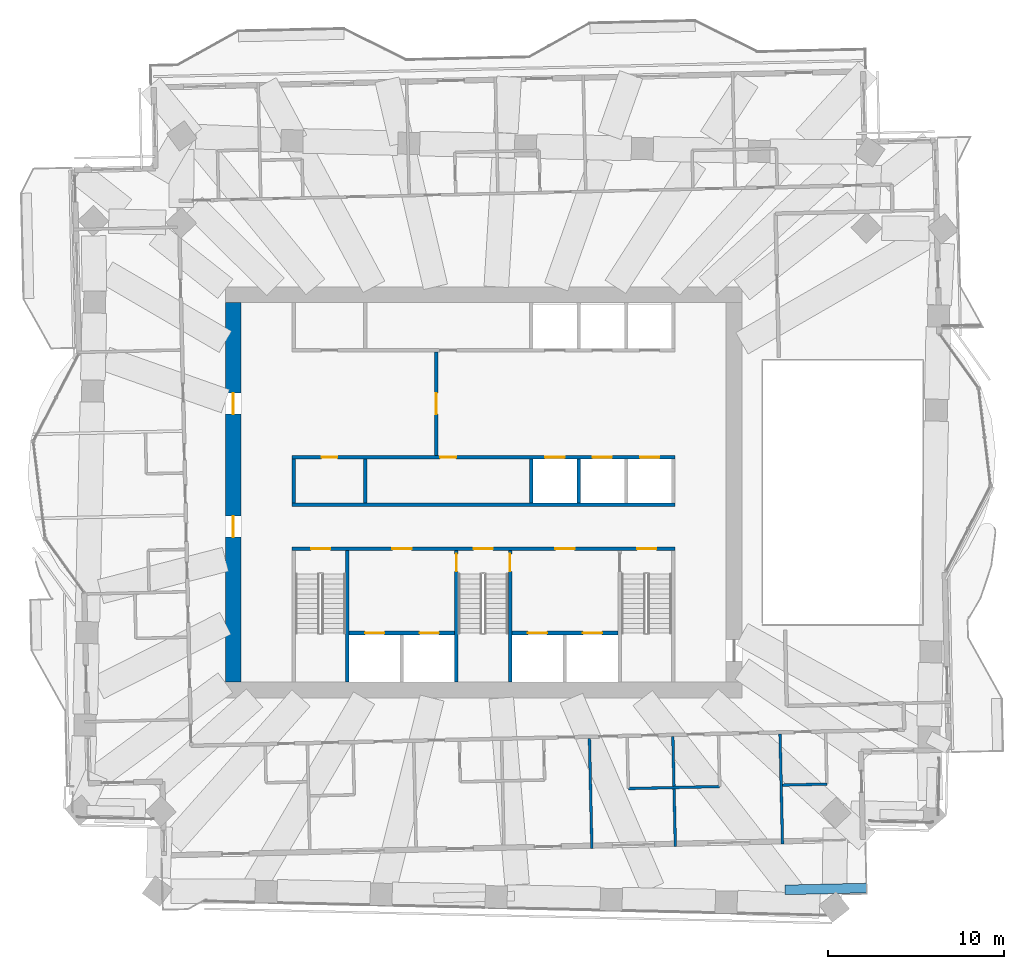
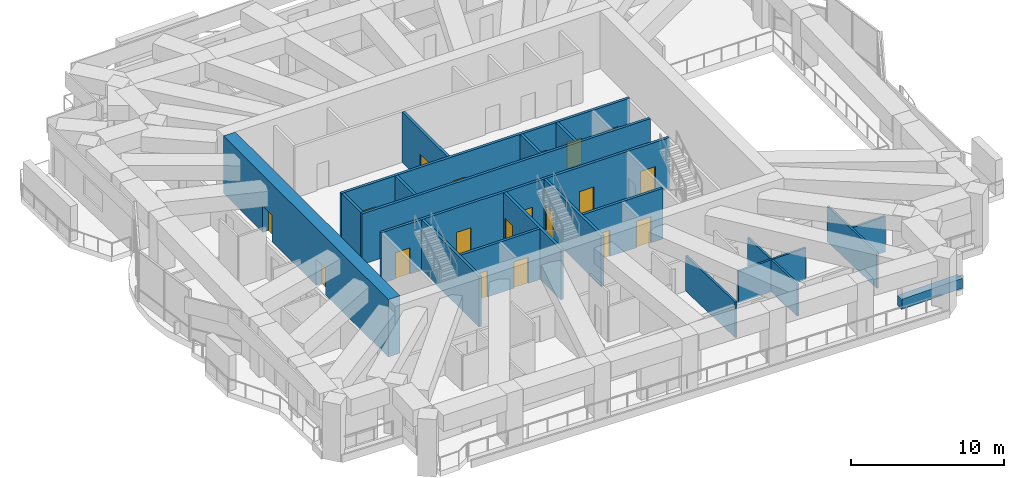
# One storey, part 10 of 17: 20 walls, 19 doors, 19 openings.
"""IFC4 building model written with IfcOpenShell, lengths in metres."""

import ifcopenshell
import ifcopenshell.guid

model = None  # the IFC model being written
_history = None  # IfcOwnerHistory: only IFC2X3 demands one
_inside = {}  # id of a spatial element -> (the spatial element, [elements in it])
_under = {}  # id of a project, library or spatial element -> (it, [spatial elements below it])
_declared = {}  # id of a project -> (the project, [libraries it declares])
_typed = {}  # id of a type object -> (the type object, [elements of that type])
_made_of = {}  # id of a material, layer set ... -> (it, [elements and type objects made of it])


def new_model(schema):
    """Start an empty IFC model of exactly this schema.

    Asked for "IFC4X3", IfcOpenShell would pick the latest addendum, in which some entities
    have other attributes; the version numbers below select the first issue.
    IFC2X3 requires an IfcOwnerHistory on every rooted entity: one is made here for all.
    """
    global model, _history
    if schema == "IFC4X3":
        model = ifcopenshell.file(schema_version=(4, 3, 0, 0))
    else:
        model = ifcopenshell.file(schema=schema)
    _inside.clear()
    _under.clear()
    _declared.clear()
    _typed.clear()
    _made_of.clear()
    _history = None
    if model.schema == "IFC2X3":
        org = make("IfcOrganization", Name="unknown")
        user = make(
            "IfcPersonAndOrganization",
            ThePerson=make("IfcPerson", FamilyName="unknown"),
            TheOrganization=org,
        )
        app = make(
            "IfcApplication",
            ApplicationDeveloper=org,
            Version="unknown",
            ApplicationFullName="unknown",
            ApplicationIdentifier="unknown",
        )
        _history = make(
            "IfcOwnerHistory",
            OwningUser=user,
            OwningApplication=app,
            ChangeAction="ADDED",
            CreationDate=0,
        )
    return model


def make(cls, **values):
    """One entity of the class cls with the attributes given. An attribute that is None is left unset."""
    return model.create_entity(
        cls, **{name: value for name, value in values.items() if value is not None}
    )


def rooted(cls, **values):
    """An entity with a GlobalId (a new one), such as an element, a storey or a relation."""
    return make(cls, GlobalId=ifcopenshell.guid.new(), OwnerHistory=_history, **values)


def si_unit(unit_type, name, prefix=None):
    """IfcSIUnit, for example si_unit("LENGTHUNIT", "METRE", prefix="MILLI")."""
    return make("IfcSIUnit", UnitType=unit_type, Prefix=prefix, Name=name)


def assignment(units):
    """IfcUnitAssignment: the units of a project."""
    return None if units is None else make("IfcUnitAssignment", Units=units)


def point(xyz):
    """IfcCartesianPoint."""
    return None if xyz is None else make("IfcCartesianPoint", Coordinates=xyz)


def direction(xyz):
    """IfcDirection."""
    return None if xyz is None else make("IfcDirection", DirectionRatios=xyz)


def frame(location, z_axis=None, x_axis=None):
    """IfcAxis2Placement3D, a coordinate frame: its origin and axes. An axis left out is left unset."""
    return make(
        "IfcAxis2Placement3D",
        Location=point(location),
        Axis=direction(z_axis),
        RefDirection=direction(x_axis),
    )


def frame_2d(location, x_axis=None):
    """IfcAxis2Placement2D, a coordinate frame in the plane: its origin and x axis."""
    return make(
        "IfcAxis2Placement2D", Location=point(location), RefDirection=direction(x_axis)
    )


def origin():
    """The frame at (0, 0, 0) with its axes left unset."""
    return frame((0.0, 0.0, 0.0))


def place(relative_to, where):
    """IfcLocalPlacement: puts the frame where relative to a parent placement (None: the world)."""
    return make(
        "IfcLocalPlacement", PlacementRelTo=relative_to, RelativePlacement=where
    )


def context(
    kind, dimensions, precision=None, world=None, true_north=None, identifier=None
):
    """IfcGeometricRepresentationContext, for example the 3D "Model" context."""
    return make(
        "IfcGeometricRepresentationContext",
        ContextIdentifier=identifier,
        ContextType=kind,
        CoordinateSpaceDimension=dimensions,
        Precision=precision,
        WorldCoordinateSystem=world,
        TrueNorth=true_north,
    )


def subcontext(parent, identifier, kind, view, scale=None):
    """IfcGeometricRepresentationSubContext, for example "Body" below "Model"."""
    return make(
        "IfcGeometricRepresentationSubContext",
        ContextIdentifier=identifier,
        ContextType=kind,
        ParentContext=parent,
        TargetScale=scale,
        TargetView=view,
    )


def project(units=None, contexts=None):
    """IfcProject with its units and contexts."""
    return rooted(
        "IfcProject",
        Name="project",
        RepresentationContexts=contexts,
        UnitsInContext=assignment(units),
    )


def spatial(cls, under=None, at=None, **own):
    """A site, building, storey or space (cls), placed at a placement, below another one or the project."""
    s = rooted(cls, ObjectPlacement=at, **own)
    if under is not None:
        _under.setdefault(under.id(), (under, []))[1].append(s)
    return s


def profile(cls, at=None, kind="AREA", **sizes):
    """A parametric profile (cls). Its sizes go by their IFC names, for example OverallWidth=200.0."""
    return make(cls, ProfileType=kind, Position=at, **sizes)


def rectangle(**sizes):
    """IfcRectangleProfileDef."""
    return profile("IfcRectangleProfileDef", **sizes)


def extrude(swept, where, along, depth):
    """IfcExtrudedAreaSolid: the profile swept, set in the frame where, extruded along a direction by depth."""
    return make(
        "IfcExtrudedAreaSolid",
        SweptArea=swept,
        Position=where,
        ExtrudedDirection=direction(along),
        Depth=depth,
    )


def shape(context_of_items, identifier, shape_type, items):
    """IfcShapeRepresentation: the items that make up one representation, for example the "Body"."""
    return make(
        "IfcShapeRepresentation",
        ContextOfItems=context_of_items,
        RepresentationIdentifier=identifier,
        RepresentationType=shape_type,
        Items=items,
    )


def material(Name=None, Category=None):
    """IfcMaterial."""
    return make("IfcMaterial", Name=Name, Category=Category)


def layer(
    of_material, thickness, ventilated=None, Name=None, Category=None, Priority=None
):
    """IfcMaterialLayer: one layer of a wall or slab, of a material (None: an air gap)."""
    return make(
        "IfcMaterialLayer",
        Material=of_material,
        LayerThickness=thickness,
        IsVentilated=ventilated,
        Name=Name,
        Category=Category,
        Priority=Priority,
    )


def layer_set(layers, Name=None):
    """IfcMaterialLayerSet."""
    return make("IfcMaterialLayerSet", MaterialLayers=layers, LayerSetName=Name)


def made_of(thing, what):
    """Note that an element or type object is made of a material, layer set ...; save() writes the relation."""
    if what is not None:
        _made_of.setdefault(what.id(), (what, []))[1].append(thing)
    return thing


def type_object(cls, material=None, **own):
    """A type object (cls), such as IfcWallType, which elements share."""
    return made_of(rooted(cls, **own), material)


def element(
    cls,
    number,
    at=None,
    inside=None,
    cuts=None,
    type_object=None,
    material=None,
    context=None,
    identifier="Body",
    shape_type=None,
    held_by="IfcProductDefinitionShape",
    body=None,
    shapes=None,
    **own,
):
    """One element of the class cls, such as IfcWall. Its Tag is "e" and its number.

    at: its placement. inside: the storey or other place that contains it. cuts: it is an
    opening in that element (IfcRelVoidsElement). A single representation is given by context,
    identifier, shape_type and body (its items); several are given by shapes. held_by: the class
    of the entity that holds the representations. save() writes the other relations.
    """
    e = rooted(cls, Tag="e%d" % number, ObjectPlacement=at, **own)
    if body is not None:
        shapes = [shape(context, identifier, shape_type, body)]
    if shapes is not None:
        e.Representation = make(held_by, Representations=shapes)
    if inside is not None:
        _inside.setdefault(inside.id(), (inside, []))[1].append(e)
    if cuts is not None:
        rooted(
            "IfcRelVoidsElement", RelatingBuildingElement=cuts, RelatedOpeningElement=e
        )
    if type_object is not None:
        _typed.setdefault(type_object.id(), (type_object, []))[1].append(e)
    return made_of(e, material)


def fill(opening, filler):
    """IfcRelFillsElement: the door or window that sits in an opening."""
    return rooted(
        "IfcRelFillsElement",
        RelatingOpeningElement=opening,
        RelatedBuildingElement=filler,
    )


def aggregate(whole, parts):
    """IfcRelAggregates: a whole, such as a stair, and the parts it consists of."""
    return rooted("IfcRelAggregates", RelatingObject=whole, RelatedObjects=parts)


def save(model, path):
    """Write the relations noted so far, then the file.

    IfcRelAggregates (storeys below a building ...), IfcRelContainedInSpatialStructure (elements
    in a storey), IfcRelDefinesByType, IfcRelAssociatesMaterial and IfcRelDeclares: one each for
    every whole, place, type object, material and project.
    """
    for whole, parts in _under.values():
        aggregate(whole, parts)
    for where, things in _inside.values():
        rooted(
            "IfcRelContainedInSpatialStructure",
            RelatedElements=things,
            RelatingStructure=where,
        )
    for kind, things in _typed.values():
        rooted("IfcRelDefinesByType", RelatedObjects=things, RelatingType=kind)
    for what, things in _made_of.values():
        rooted("IfcRelAssociatesMaterial", RelatedObjects=things, RelatingMaterial=what)
    for by, libraries in _declared.values():
        rooted("IfcRelDeclares", RelatingContext=by, RelatedDefinitions=libraries)
    model.write(path)


model = new_model("IFC4")

# Units and contexts
model_context = context("Model", 3, precision=1e-05, world=origin(), true_north=direction((0.0, 1.0)))
body_context = subcontext(model_context, "Body", "Model", "MODEL_VIEW")
ifc_project = project(units=[si_unit("LENGTHUNIT", "METRE"), si_unit("AREAUNIT", "SQUARE_METRE"), si_unit("VOLUMEUNIT", "CUBIC_METRE"), si_unit("PLANEANGLEUNIT", "RADIAN"), si_unit("MASSUNIT", "GRAM", prefix="KILO")], contexts=[model_context])

# Site, building, storey
site_placement = place(None, origin())
site = spatial("IfcSite", under=ifc_project, at=site_placement, CompositionType="ELEMENT")
building_placement = place(site_placement, origin())
building = spatial("IfcBuilding", under=site, at=building_placement, Name="Mangrove Gate Tower", CompositionType="ELEMENT")
storey_placement = place(building_placement, frame((0.0, 0.0, 170.699951171875)))
storey = spatial("IfcBuildingStorey", under=building, at=storey_placement, Name="L43", CompositionType="ELEMENT", Elevation=170.699951171875)

# Wall, opening, door
ifc_material_1 = material(Name="Concrete C32/40", Category="concrete")
ifc_layer_1 = layer(ifc_material_1, 0.199951171875)
ifc_layer_set_1 = layer_set([ifc_layer_1], Name="Core lobby wall 200 C32/40")
wall_type_1 = type_object("IfcWallType", Name="Core lobby wall 200 C32/40", PredefinedType="STANDARD", material=ifc_layer_set_1)
wall_1_placement = place(storey_placement, frame((-2.699951171875, 2.10009765625, 0.0), z_axis=(0.0, 0.0, 1.0), x_axis=(0.0, 1.0, 0.0)))
wall_1 = element("IfcWall", 1, at=wall_1_placement, inside=storey, type_object=wall_type_1, Name="WALL-L43-CORE-31", PredefinedType="STANDARD", context=body_context, shape_type="SweptSolid", body=[
    extrude(rectangle(XDim=5.89990234375, YDim=0.199951171875, at=frame_2d((2.949951171875, 0.0))), origin(), (0.0, 0.0, 1.0), 4.050048828125),
])
opening_1_placement = place(wall_1_placement, frame((2.35009765625, 0.0, 0.0)))
opening_1 = element("IfcOpeningElement", 2, at=opening_1_placement, cuts=wall_1, Name="Opening FL12", PredefinedType="OPENING", context=body_context, shape_type="SweptSolid", body=[
    extrude(rectangle(XDim=1.199951171875, YDim=2.10009765625, at=frame_2d((0.60009765625, 1.050048828125))), frame((0.0, 0.10986328125, 0.0), z_axis=(0.0, -1.0, 0.0), x_axis=(1.0, 0.0, 0.0)), (0.0, 0.0, 1.0), 0.219970703125),
])
ifc_material_2 = material(Name="Fire-rated steel door set", Category="steel")
door_type_1 = type_object("IfcDoorType", Name="Lobby door FD60 1200x2100", OperationType="SINGLE_SWING_LEFT", PredefinedType="DOOR", material=ifc_material_2)
door_1_placement = place(opening_1_placement, origin())
door_1 = element("IfcDoor", 3, at=door_1_placement, inside=storey, type_object=door_type_1, Name="Lobby door lift lobby partition", OperationType="SINGLE_SWING_LEFT", OverallHeight=2.10009765625, OverallWidth=1.199951171875, PredefinedType="DOOR", context=body_context, shape_type="SweptSolid", body=[
    extrude(rectangle(XDim=1.199951171875, YDim=2.10009765625, at=frame_2d((0.60009765625, 1.050048828125))), frame((0.0, 0.02490234375, 0.0), z_axis=(0.0, -1.0, 0.0), x_axis=(1.0, 0.0, 0.0)), (0.0, 0.0, 1.0), 0.050048828125),
])
fill(opening_1, door_1)

# Walls
ifc_material_3 = material(Name="Concrete C32/40", Category="concrete")
ifc_layer_2 = layer(ifc_material_3, 0.199951171875)
ifc_layer_set_2 = layer_set([ifc_layer_2], Name="Core room wall 200 C32/40")
wall_type_2 = type_object("IfcWallType", Name="Core room wall 200 C32/40", PredefinedType="STANDARD", material=ifc_layer_set_2)
for number, where, z_axis, x_axis, name in (
    (4, (-10.800048828125, -0.60009765625, 0.0), (0.0, 0.0, 1.0), (0.0, 1.0, 0.0), "WALL-L43-CORE-19"),
    (5, (-6.75, -0.60009765625, 0.0), (0.0, 0.0, 1.0), (0.0, 1.0, 0.0), "WALL-L43-CORE-20"),
):
    element("IfcWall", number, at=place(storey_placement, frame(where, z_axis=z_axis, x_axis=x_axis)), inside=storey, type_object=wall_type_2, Name=name, PredefinedType="STANDARD", context=body_context, shape_type="SweptSolid", body=[
        extrude(rectangle(XDim=2.5, YDim=0.199951171875, at=frame_2d((1.25, 0.0))), origin(), (0.0, 0.0, 1.0), 4.050048828125),
    ])
ifc_material_4 = material(Name="Concrete C60/75", Category="concrete")
ifc_layer_3 = layer(ifc_material_4, 0.199951171875)
ifc_layer_set_3 = layer_set([ifc_layer_3], Name="Core shaft wall 200 C60/75")
wall_type_3 = type_object("IfcWallType", Name="Core shaft wall 200 C60/75", PredefinedType="SHEAR", material=ifc_layer_set_3)
wall_2_placement = place(storey_placement, frame((-10.89990234375, -0.699951171875, 0.0), z_axis=(0.0, 0.0, 1.0), x_axis=(1.0, 0.0, 0.0)))
element("IfcWall", 6, at=wall_2_placement, inside=storey, type_object=wall_type_3, Name="WALL-L43-CORE-6", PredefinedType="SHEAR", context=body_context, shape_type="SweptSolid", body=[
    extrude(rectangle(XDim=21.7998046875, YDim=0.199951171875, at=frame_2d((10.89990234375, 0.0))), origin(), (0.0, 0.0, 1.0), 4.050048828125),
])

# Wall, openings, doors
wall_3_placement = place(storey_placement, frame((-10.89990234375, 2.0, 0.0), z_axis=(0.0, 0.0, 1.0), x_axis=(1.0, 0.0, 0.0)))
wall_3 = element("IfcWall", 7, at=wall_3_placement, inside=storey, type_object=wall_type_3, Name="WALL-L43-CORE-7", PredefinedType="SHEAR", context=body_context, shape_type="SweptSolid", body=[
    extrude(rectangle(XDim=21.7998046875, YDim=0.199951171875, at=frame_2d((10.89990234375, 0.0))), origin(), (0.0, 0.0, 1.0), 4.050048828125),
])
opening_2_placement = place(wall_3_placement, frame((14.39990234375, 0.0, 0.0)))
opening_2 = element("IfcOpeningElement", 8, at=opening_2_placement, cuts=wall_3, Name="Opening LD", PredefinedType="OPENING", context=body_context, shape_type="SweptSolid", body=[
    extrude(rectangle(XDim=1.10009765625, YDim=2.10009765625, at=frame_2d((0.550048828125, 1.050048828125))), frame((0.0, 0.10986328125, 0.0), z_axis=(0.0, -1.0, 0.0), x_axis=(1.0, 0.0, 0.0)), (0.0, 0.0, 1.0), 0.219970703125),
])
opening_3_placement = place(wall_3_placement, frame((17.10009765625, 0.0, 0.0)))
opening_3 = element("IfcOpeningElement", 9, at=opening_3_placement, cuts=wall_3, Name="Opening LD", PredefinedType="OPENING", context=body_context, shape_type="SweptSolid", body=[
    extrude(rectangle(XDim=1.10009765625, YDim=2.10009765625, at=frame_2d((0.550048828125, 1.050048828125))), frame((0.0, 0.10986328125, 0.0), z_axis=(0.0, -1.0, 0.0), x_axis=(1.0, 0.0, 0.0)), (0.0, 0.0, 1.0), 0.219970703125),
])
opening_4_placement = place(wall_3_placement, frame((19.800048828125, 0.0, 0.0)))
opening_4 = element("IfcOpeningElement", 10, at=opening_4_placement, cuts=wall_3, Name="Opening LD", PredefinedType="OPENING", context=body_context, shape_type="SweptSolid", body=[
    extrude(rectangle(XDim=1.10009765625, YDim=2.10009765625, at=frame_2d((0.550048828125, 1.050048828125))), frame((0.0, 0.10986328125, 0.0), z_axis=(0.0, -1.0, 0.0), x_axis=(1.0, 0.0, 0.0)), (0.0, 0.0, 1.0), 0.219970703125),
])
opening_5_placement = place(wall_3_placement, frame((1.675048828125, 0.0, 0.0)))
opening_5 = element("IfcOpeningElement", 11, at=opening_5_placement, cuts=wall_3, Name="Opening RD", PredefinedType="OPENING", context=body_context, shape_type="SweptSolid", body=[
    extrude(rectangle(XDim=0.89990234375, YDim=2.10009765625, at=frame_2d((0.449951171875, 1.050048828125))), frame((0.0, 0.10986328125, 0.0), z_axis=(0.0, -1.0, 0.0), x_axis=(1.0, 0.0, 0.0)), (0.0, 0.0, 1.0), 0.219970703125),
])
opening_6_placement = place(wall_3_placement, frame((8.425048828125, 0.0, 0.0)))
opening_6 = element("IfcOpeningElement", 12, at=opening_6_placement, cuts=wall_3, Name="Opening KD", PredefinedType="OPENING", context=body_context, shape_type="SweptSolid", body=[
    extrude(rectangle(XDim=0.89990234375, YDim=2.10009765625, at=frame_2d((0.449951171875, 1.050048828125))), frame((0.0, 0.10986328125, 0.0), z_axis=(0.0, -1.0, 0.0), x_axis=(1.0, 0.0, 0.0)), (0.0, 0.0, 1.0), 0.219970703125),
])
ifc_material_5 = material(Name="Fire-rated steel door set", Category="steel")
door_type_2 = type_object("IfcDoorType", Name="Core room door FD30S 900x2100", OperationType="SINGLE_SWING_RIGHT", PredefinedType="DOOR", material=ifc_material_5)
door_2_placement = place(opening_6_placement, origin())
door_2 = element("IfcDoor", 13, at=door_2_placement, inside=storey, type_object=door_type_2, Name="Core room door Core WC", OperationType="SINGLE_SWING_RIGHT", OverallHeight=2.10009765625, OverallWidth=0.89990234375, PredefinedType="DOOR", context=body_context, shape_type="SweptSolid", body=[
    extrude(rectangle(XDim=0.89990234375, YDim=2.10009765625, at=frame_2d((0.449951171875, 1.050048828125))), frame((0.0, 0.02490234375, 0.0), z_axis=(0.0, -1.0, 0.0), x_axis=(1.0, 0.0, 0.0)), (0.0, 0.0, 1.0), 0.050048828125),
])
fill(opening_6, door_2)
ifc_material_6 = material(Name="Stainless steel 316", Category="steel")
door_type_3 = type_object("IfcDoorType", Name="Lift landing door 1100x2100", OperationType="SLIDING_TO_LEFT", PredefinedType="DOOR", material=ifc_material_6)
door_3_placement = place(opening_2_placement, origin())
door_3 = element("IfcDoor", 14, at=door_3_placement, inside=storey, type_object=door_type_3, Name="Landing door LD M01", OperationType="SLIDING_TO_LEFT", OverallHeight=2.10009765625, OverallWidth=1.10009765625, PredefinedType="DOOR", context=body_context, shape_type="SweptSolid", body=[
    extrude(rectangle(XDim=1.10009765625, YDim=2.10009765625, at=frame_2d((0.550048828125, 1.050048828125))), frame((0.0, 0.02490234375, 0.0), z_axis=(0.0, -1.0, 0.0), x_axis=(1.0, 0.0, 0.0)), (0.0, 0.0, 1.0), 0.050048828125),
])
fill(opening_2, door_3)
door_4_placement = place(opening_3_placement, origin())
door_4 = element("IfcDoor", 15, at=door_4_placement, inside=storey, type_object=door_type_3, Name="Landing door LD M02", OperationType="SLIDING_TO_LEFT", OverallHeight=2.10009765625, OverallWidth=1.10009765625, PredefinedType="DOOR", context=body_context, shape_type="SweptSolid", body=[
    extrude(rectangle(XDim=1.10009765625, YDim=2.10009765625, at=frame_2d((0.550048828125, 1.050048828125))), frame((0.0, 0.02490234375, 0.0), z_axis=(0.0, -1.0, 0.0), x_axis=(1.0, 0.0, 0.0)), (0.0, 0.0, 1.0), 0.050048828125),
])
fill(opening_3, door_4)
door_5_placement = place(opening_4_placement, origin())
door_5 = element("IfcDoor", 16, at=door_5_placement, inside=storey, type_object=door_type_3, Name="Landing door LD M03", OperationType="SLIDING_TO_LEFT", OverallHeight=2.10009765625, OverallWidth=1.10009765625, PredefinedType="DOOR", context=body_context, shape_type="SweptSolid", body=[
    extrude(rectangle(XDim=1.10009765625, YDim=2.10009765625, at=frame_2d((0.550048828125, 1.050048828125))), frame((0.0, 0.02490234375, 0.0), z_axis=(0.0, -1.0, 0.0), x_axis=(1.0, 0.0, 0.0)), (0.0, 0.0, 1.0), 0.050048828125),
])
fill(opening_4, door_5)
ifc_material_7 = material(Name="Fire-rated steel door set", Category="steel")
door_type_4 = type_object("IfcDoorType", Name="Riser door FD30S 900x2100", OperationType="SINGLE_SWING_LEFT", PredefinedType="DOOR", material=ifc_material_7)
door_6_placement = place(opening_5_placement, origin())
door_6 = element("IfcDoor", 17, at=door_6_placement, inside=storey, type_object=door_type_4, Name="Riser door Comms room", OperationType="SINGLE_SWING_LEFT", OverallHeight=2.10009765625, OverallWidth=0.89990234375, PredefinedType="DOOR", context=body_context, shape_type="SweptSolid", body=[
    extrude(rectangle(XDim=0.89990234375, YDim=2.10009765625, at=frame_2d((0.449951171875, 1.050048828125))), frame((0.0, 0.02490234375, 0.0), z_axis=(0.0, -1.0, 0.0), x_axis=(1.0, 0.0, 0.0)), (0.0, 0.0, 1.0), 0.050048828125),
])
fill(opening_5, door_6)

wall_4_placement = place(storey_placement, frame((-7.64990234375, -8.0, 0.0), z_axis=(0.0, 0.0, 1.0), x_axis=(1.0, 0.0, 0.0)))
wall_4 = element("IfcWall", 18, at=wall_4_placement, inside=storey, type_object=wall_type_3, Name="WALL-L43-CORE-15", PredefinedType="SHEAR", context=body_context, shape_type="SweptSolid", body=[
    extrude(rectangle(XDim=6.0, YDim=0.199951171875, at=frame_2d((3.0, 0.0))), origin(), (0.0, 0.0, 1.0), 4.050048828125),
])
opening_7_placement = place(wall_4_placement, frame((0.89990234375, 0.0, 0.0)))
opening_7 = element("IfcOpeningElement", 19, at=opening_7_placement, cuts=wall_4, Name="Opening LD", PredefinedType="OPENING", context=body_context, shape_type="SweptSolid", body=[
    extrude(rectangle(XDim=1.10009765625, YDim=2.10009765625, at=frame_2d((0.550048828125, 1.050048828125))), frame((0.0, 0.10986328125, 0.0), z_axis=(0.0, -1.0, 0.0), x_axis=(1.0, 0.0, 0.0)), (0.0, 0.0, 1.0), 0.219970703125),
])
opening_8_placement = place(wall_4_placement, frame((4.0, 0.0, 0.0)))
opening_8 = element("IfcOpeningElement", 20, at=opening_8_placement, cuts=wall_4, Name="Opening LD", PredefinedType="OPENING", context=body_context, shape_type="SweptSolid", body=[
    extrude(rectangle(XDim=1.10009765625, YDim=2.10009765625, at=frame_2d((0.550048828125, 1.050048828125))), frame((0.0, 0.10986328125, 0.0), z_axis=(0.0, -1.0, 0.0), x_axis=(1.0, 0.0, 0.0)), (0.0, 0.0, 1.0), 0.219970703125),
])
door_7_placement = place(opening_7_placement, origin())
door_7 = element("IfcDoor", 21, at=door_7_placement, inside=storey, type_object=door_type_3, Name="Landing door LD SVL1", OperationType="SLIDING_TO_LEFT", OverallHeight=2.10009765625, OverallWidth=1.10009765625, PredefinedType="DOOR", context=body_context, shape_type="SweptSolid", body=[
    extrude(rectangle(XDim=1.10009765625, YDim=2.10009765625, at=frame_2d((0.550048828125, 1.050048828125))), frame((0.0, 0.02490234375, 0.0), z_axis=(0.0, -1.0, 0.0), x_axis=(1.0, 0.0, 0.0)), (0.0, 0.0, 1.0), 0.050048828125),
])
fill(opening_7, door_7)
door_8_placement = place(opening_8_placement, origin())
door_8 = element("IfcDoor", 22, at=door_8_placement, inside=storey, type_object=door_type_3, Name="Landing door LD SVL2", OperationType="SLIDING_TO_LEFT", OverallHeight=2.10009765625, OverallWidth=1.10009765625, PredefinedType="DOOR", context=body_context, shape_type="SweptSolid", body=[
    extrude(rectangle(XDim=1.10009765625, YDim=2.10009765625, at=frame_2d((0.550048828125, 1.050048828125))), frame((0.0, 0.02490234375, 0.0), z_axis=(0.0, -1.0, 0.0), x_axis=(1.0, 0.0, 0.0)), (0.0, 0.0, 1.0), 0.050048828125),
])
fill(opening_8, door_8)

wall_5_placement = place(storey_placement, frame((1.60009765625, -8.0, 0.0), z_axis=(0.0, 0.0, 1.0), x_axis=(1.0, 0.0, 0.0)))
wall_5 = element("IfcWall", 23, at=wall_5_placement, inside=storey, type_object=wall_type_3, Name="WALL-L43-CORE-17", PredefinedType="SHEAR", context=body_context, shape_type="SweptSolid", body=[
    extrude(rectangle(XDim=6.0498046875, YDim=0.199951171875, at=frame_2d((3.02490234375, 0.0))), origin(), (0.0, 0.0, 1.0), 4.050048828125),
])
opening_9_placement = place(wall_5_placement, frame((0.91259765625, 0.0, 0.0)))
opening_9 = element("IfcOpeningElement", 24, at=opening_9_placement, cuts=wall_5, Name="Opening LD", PredefinedType="OPENING", context=body_context, shape_type="SweptSolid", body=[
    extrude(rectangle(XDim=1.10009765625, YDim=2.10009765625, at=frame_2d((0.550048828125, 1.050048828125))), frame((0.0, 0.10986328125, 0.0), z_axis=(0.0, -1.0, 0.0), x_axis=(1.0, 0.0, 0.0)), (0.0, 0.0, 1.0), 0.219970703125),
])
opening_10_placement = place(wall_5_placement, frame((4.03759765625, 0.0, 0.0)))
opening_10 = element("IfcOpeningElement", 25, at=opening_10_placement, cuts=wall_5, Name="Opening LD", PredefinedType="OPENING", context=body_context, shape_type="SweptSolid", body=[
    extrude(rectangle(XDim=1.10009765625, YDim=2.10009765625, at=frame_2d((0.550048828125, 1.050048828125))), frame((0.0, 0.10986328125, 0.0), z_axis=(0.0, -1.0, 0.0), x_axis=(1.0, 0.0, 0.0)), (0.0, 0.0, 1.0), 0.219970703125),
])
door_9_placement = place(opening_9_placement, origin())
door_9 = element("IfcDoor", 26, at=door_9_placement, inside=storey, type_object=door_type_3, Name="Landing door LD FFL1", OperationType="SLIDING_TO_LEFT", OverallHeight=2.10009765625, OverallWidth=1.10009765625, PredefinedType="DOOR", context=body_context, shape_type="SweptSolid", body=[
    extrude(rectangle(XDim=1.10009765625, YDim=2.10009765625, at=frame_2d((0.550048828125, 1.050048828125))), frame((0.0, 0.02490234375, 0.0), z_axis=(0.0, -1.0, 0.0), x_axis=(1.0, 0.0, 0.0)), (0.0, 0.0, 1.0), 0.050048828125),
])
fill(opening_9, door_9)
door_10_placement = place(opening_10_placement, origin())
door_10 = element("IfcDoor", 27, at=door_10_placement, inside=storey, type_object=door_type_3, Name="Landing door LD FFL2", OperationType="SLIDING_TO_LEFT", OverallHeight=2.10009765625, OverallWidth=1.10009765625, PredefinedType="DOOR", context=body_context, shape_type="SweptSolid", body=[
    extrude(rectangle(XDim=1.10009765625, YDim=2.10009765625, at=frame_2d((0.550048828125, 1.050048828125))), frame((0.0, 0.02490234375, 0.0), z_axis=(0.0, -1.0, 0.0), x_axis=(1.0, 0.0, 0.0)), (0.0, 0.0, 1.0), 0.050048828125),
])
fill(opening_10, door_10)

# Walls
for number, where, z_axis, x_axis, name in (
    (28, (2.699951171875, -0.60009765625, 0.0), (0.0, 0.0, 1.0), (0.0, 1.0, 0.0), "WALL-L43-CORE-21"),
    (29, (5.39990234375, -0.60009765625, 0.0), (0.0, 0.0, 1.0), (0.0, 1.0, 0.0), "WALL-L43-CORE-22"),
):
    element("IfcWall", number, at=place(storey_placement, frame(where, z_axis=z_axis, x_axis=x_axis)), inside=storey, type_object=wall_type_3, Name=name, PredefinedType="SHEAR", context=body_context, shape_type="SweptSolid", body=[
        extrude(rectangle(XDim=2.5, YDim=0.199951171875, at=frame_2d((1.25, 0.0))), origin(), (0.0, 0.0, 1.0), 4.050048828125),
    ])

# Wall, openings, doors
ifc_material_8 = material(Name="Concrete C60/75", Category="concrete")
ifc_layer_4 = layer(ifc_material_8, 0.199951171875)
ifc_layer_set_4 = layer_set([ifc_layer_4], Name="Core stair wall 200 C60/75")
wall_type_4 = type_object("IfcWallType", Name="Core stair wall 200 C60/75", PredefinedType="SHEAR", material=ifc_layer_set_4)
wall_6_placement = place(storey_placement, frame((-10.89990234375, -3.199951171875, 0.0), z_axis=(0.0, 0.0, 1.0), x_axis=(1.0, 0.0, 0.0)))
wall_6 = element("IfcWall", 30, at=wall_6_placement, inside=storey, type_object=wall_type_4, Name="WALL-L43-CORE-5", PredefinedType="SHEAR", context=body_context, shape_type="SweptSolid", body=[
    extrude(rectangle(XDim=21.7998046875, YDim=0.199951171875, at=frame_2d((10.89990234375, 0.0))), origin(), (0.0, 0.0, 1.0), 4.050048828125),
])
opening_11_placement = place(wall_6_placement, frame((1.074951171875, 0.0, 0.0)))
opening_11 = element("IfcOpeningElement", 31, at=opening_11_placement, cuts=wall_6, Name="Opening STD11", PredefinedType="OPENING", context=body_context, shape_type="SweptSolid", body=[
    extrude(rectangle(XDim=1.10009765625, YDim=2.10009765625, at=frame_2d((0.550048828125, 1.050048828125))), frame((0.0, 0.10986328125, 0.0), z_axis=(0.0, -1.0, 0.0), x_axis=(1.0, 0.0, 0.0)), (0.0, 0.0, 1.0), 0.219970703125),
])
opening_12_placement = place(wall_6_placement, frame((10.324951171875, 0.0, 0.0)))
opening_12 = element("IfcOpeningElement", 32, at=opening_12_placement, cuts=wall_6, Name="Opening STD11", PredefinedType="OPENING", context=body_context, shape_type="SweptSolid", body=[
    extrude(rectangle(XDim=1.10009765625, YDim=2.10009765625, at=frame_2d((0.550048828125, 1.050048828125))), frame((0.0, 0.10986328125, 0.0), z_axis=(0.0, -1.0, 0.0), x_axis=(1.0, 0.0, 0.0)), (0.0, 0.0, 1.0), 0.219970703125),
])
opening_13_placement = place(wall_6_placement, frame((19.625, 0.0, 0.0)))
opening_13 = element("IfcOpeningElement", 33, at=opening_13_placement, cuts=wall_6, Name="Opening STD11", PredefinedType="OPENING", context=body_context, shape_type="SweptSolid", body=[
    extrude(rectangle(XDim=1.10009765625, YDim=2.10009765625, at=frame_2d((0.550048828125, 1.050048828125))), frame((0.0, 0.10986328125, 0.0), z_axis=(0.0, -1.0, 0.0), x_axis=(1.0, 0.0, 0.0)), (0.0, 0.0, 1.0), 0.219970703125),
])
opening_14_placement = place(wall_6_placement, frame((5.699951171875, 0.0, 0.0)))
opening_14 = element("IfcOpeningElement", 34, at=opening_14_placement, cuts=wall_6, Name="Opening FL", PredefinedType="OPENING", context=body_context, shape_type="SweptSolid", body=[
    extrude(rectangle(XDim=1.10009765625, YDim=2.10009765625, at=frame_2d((0.550048828125, 1.050048828125))), frame((0.0, 0.10986328125, 0.0), z_axis=(0.0, -1.0, 0.0), x_axis=(1.0, 0.0, 0.0)), (0.0, 0.0, 1.0), 0.219970703125),
])
opening_15_placement = place(wall_6_placement, frame((14.97509765625, 0.0, 0.0)))
opening_15 = element("IfcOpeningElement", 35, at=opening_15_placement, cuts=wall_6, Name="Opening FL", PredefinedType="OPENING", context=body_context, shape_type="SweptSolid", body=[
    extrude(rectangle(XDim=1.10009765625, YDim=2.10009765625, at=frame_2d((0.550048828125, 1.050048828125))), frame((0.0, 0.10986328125, 0.0), z_axis=(0.0, -1.0, 0.0), x_axis=(1.0, 0.0, 0.0)), (0.0, 0.0, 1.0), 0.219970703125),
])
ifc_material_9 = material(Name="Fire-rated steel door set", Category="steel")
door_type_5 = type_object("IfcDoorType", Name="Lobby door FD60 1100x2100", OperationType="SINGLE_SWING_LEFT", PredefinedType="DOOR", material=ifc_material_9)
door_11_placement = place(opening_14_placement, origin())
door_11 = element("IfcDoor", 36, at=door_11_placement, inside=storey, type_object=door_type_5, Name="Lobby door service lobby", OperationType="SINGLE_SWING_LEFT", OverallHeight=2.10009765625, OverallWidth=1.10009765625, PredefinedType="DOOR", context=body_context, shape_type="SweptSolid", body=[
    extrude(rectangle(XDim=1.10009765625, YDim=2.10009765625, at=frame_2d((0.550048828125, 1.050048828125))), frame((0.0, 0.02490234375, 0.0), z_axis=(0.0, -1.0, 0.0), x_axis=(1.0, 0.0, 0.0)), (0.0, 0.0, 1.0), 0.050048828125),
])
fill(opening_14, door_11)
door_12_placement = place(opening_15_placement, origin())
door_12 = element("IfcDoor", 37, at=door_12_placement, inside=storey, type_object=door_type_5, Name="Lobby door fire-fighting lobby", OperationType="SINGLE_SWING_LEFT", OverallHeight=2.10009765625, OverallWidth=1.10009765625, PredefinedType="DOOR", context=body_context, shape_type="SweptSolid", body=[
    extrude(rectangle(XDim=1.10009765625, YDim=2.10009765625, at=frame_2d((0.550048828125, 1.050048828125))), frame((0.0, 0.02490234375, 0.0), z_axis=(0.0, -1.0, 0.0), x_axis=(1.0, 0.0, 0.0)), (0.0, 0.0, 1.0), 0.050048828125),
])
fill(opening_15, door_12)
ifc_material_10 = material(Name="Fire-rated steel door set", Category="steel")
door_type_6 = type_object("IfcDoorType", Name="Stair door FD60 1100x2100", OperationType="SINGLE_SWING_RIGHT", PredefinedType="DOOR", material=ifc_material_10)
door_13_placement = place(opening_11_placement, origin())
door_13 = element("IfcDoor", 38, at=door_13_placement, inside=storey, type_object=door_type_6, Name="Stair door Stair 1", OperationType="SINGLE_SWING_RIGHT", OverallHeight=2.10009765625, OverallWidth=1.10009765625, PredefinedType="DOOR", context=body_context, shape_type="SweptSolid", body=[
    extrude(rectangle(XDim=1.10009765625, YDim=2.10009765625, at=frame_2d((0.550048828125, 1.050048828125))), frame((0.0, 0.02490234375, 0.0), z_axis=(0.0, -1.0, 0.0), x_axis=(1.0, 0.0, 0.0)), (0.0, 0.0, 1.0), 0.050048828125),
])
fill(opening_11, door_13)
door_14_placement = place(opening_12_placement, origin())
door_14 = element("IfcDoor", 39, at=door_14_placement, inside=storey, type_object=door_type_6, Name="Stair door Stair 2", OperationType="SINGLE_SWING_RIGHT", OverallHeight=2.10009765625, OverallWidth=1.10009765625, PredefinedType="DOOR", context=body_context, shape_type="SweptSolid", body=[
    extrude(rectangle(XDim=1.10009765625, YDim=2.10009765625, at=frame_2d((0.550048828125, 1.050048828125))), frame((0.0, 0.02490234375, 0.0), z_axis=(0.0, -1.0, 0.0), x_axis=(1.0, 0.0, 0.0)), (0.0, 0.0, 1.0), 0.050048828125),
])
fill(opening_12, door_14)
door_15_placement = place(opening_13_placement, origin())
door_15 = element("IfcDoor", 40, at=door_15_placement, inside=storey, type_object=door_type_6, Name="Stair door Stair 3", OperationType="SINGLE_SWING_RIGHT", OverallHeight=2.10009765625, OverallWidth=1.10009765625, PredefinedType="DOOR", context=body_context, shape_type="SweptSolid", body=[
    extrude(rectangle(XDim=1.10009765625, YDim=2.10009765625, at=frame_2d((0.550048828125, 1.050048828125))), frame((0.0, 0.02490234375, 0.0), z_axis=(0.0, -1.0, 0.0), x_axis=(1.0, 0.0, 0.0)), (0.0, 0.0, 1.0), 0.050048828125),
])
fill(opening_13, door_15)

# Wall
wall_7_placement = place(storey_placement, frame((-7.75, -10.800048828125, 0.0), z_axis=(0.0, 0.0, 1.0), x_axis=(0.0, 1.0, 0.0)))
element("IfcWall", 41, at=wall_7_placement, inside=storey, type_object=wall_type_4, Name="WALL-L43-CORE-10", PredefinedType="SHEAR", context=body_context, shape_type="SweptSolid", body=[
    extrude(rectangle(XDim=7.5, YDim=0.199951171875, at=frame_2d((3.75, 0.0))), origin(), (0.0, 0.0, 1.0), 4.050048828125),
])

# Wall, opening, door
wall_8_placement = place(storey_placement, frame((-1.550048828125, -10.800048828125, 0.0), z_axis=(0.0, 0.0, 1.0), x_axis=(0.0, 1.0, 0.0)))
wall_8 = element("IfcWall", 42, at=wall_8_placement, inside=storey, type_object=wall_type_4, Name="WALL-L43-CORE-11", PredefinedType="SHEAR", context=body_context, shape_type="SweptSolid", body=[
    extrude(rectangle(XDim=7.5, YDim=0.199951171875, at=frame_2d((3.75, 0.0))), origin(), (0.0, 0.0, 1.0), 4.050048828125),
])
opening_16_placement = place(wall_8_placement, frame((6.300048828125, 0.0, 0.0)))
opening_16 = element("IfcOpeningElement", 43, at=opening_16_placement, cuts=wall_8, Name="Opening STD10", PredefinedType="OPENING", context=body_context, shape_type="SweptSolid", body=[
    extrude(rectangle(XDim=1.0, YDim=2.10009765625, at=frame_2d((0.5, 1.050048828125))), frame((0.0, 0.10986328125, 0.0), z_axis=(0.0, -1.0, 0.0), x_axis=(1.0, 0.0, 0.0)), (0.0, 0.0, 1.0), 0.219970703125),
])
ifc_material_11 = material(Name="Fire-rated steel door set", Category="steel")
door_type_7 = type_object("IfcDoorType", Name="Stair door FD60 1000x2100", OperationType="SINGLE_SWING_RIGHT", PredefinedType="DOOR", material=ifc_material_11)
door_16_placement = place(opening_16_placement, origin())
door_16 = element("IfcDoor", 44, at=door_16_placement, inside=storey, type_object=door_type_7, Name="Stair door Stair 2 from service lobby", OperationType="SINGLE_SWING_RIGHT", OverallHeight=2.10009765625, OverallWidth=1.0, PredefinedType="DOOR", context=body_context, shape_type="SweptSolid", body=[
    extrude(rectangle(XDim=1.0, YDim=2.10009765625, at=frame_2d((0.5, 1.050048828125))), frame((0.0, 0.02490234375, 0.0), z_axis=(0.0, -1.0, 0.0), x_axis=(1.0, 0.0, 0.0)), (0.0, 0.0, 1.0), 0.050048828125),
])
fill(opening_16, door_16)

wall_9_placement = place(storey_placement, frame((1.5, -10.800048828125, 0.0), z_axis=(0.0, 0.0, 1.0), x_axis=(0.0, 1.0, 0.0)))
wall_9 = element("IfcWall", 45, at=wall_9_placement, inside=storey, type_object=wall_type_4, Name="WALL-L43-CORE-12", PredefinedType="SHEAR", context=body_context, shape_type="SweptSolid", body=[
    extrude(rectangle(XDim=7.5, YDim=0.199951171875, at=frame_2d((3.75, 0.0))), origin(), (0.0, 0.0, 1.0), 4.050048828125),
])
opening_17_placement = place(wall_9_placement, frame((6.300048828125, 0.0, 0.0)))
opening_17 = element("IfcOpeningElement", 46, at=opening_17_placement, cuts=wall_9, Name="Opening STD10", PredefinedType="OPENING", context=body_context, shape_type="SweptSolid", body=[
    extrude(rectangle(XDim=1.0, YDim=2.10009765625, at=frame_2d((0.5, 1.050048828125))), frame((0.0, 0.10986328125, 0.0), z_axis=(0.0, -1.0, 0.0), x_axis=(1.0, 0.0, 0.0)), (0.0, 0.0, 1.0), 0.219970703125),
])
door_17_placement = place(opening_17_placement, origin())
door_17 = element("IfcDoor", 47, at=door_17_placement, inside=storey, type_object=door_type_7, Name="Stair door Stair 2 from fire-fighting lobby", OperationType="SINGLE_SWING_RIGHT", OverallHeight=2.10009765625, OverallWidth=1.0, PredefinedType="DOOR", context=body_context, shape_type="SweptSolid", body=[
    extrude(rectangle(XDim=1.0, YDim=2.10009765625, at=frame_2d((0.5, 1.050048828125))), frame((0.0, 0.02490234375, 0.0), z_axis=(0.0, -1.0, 0.0), x_axis=(1.0, 0.0, 0.0)), (0.0, 0.0, 1.0), 0.050048828125),
])
fill(opening_17, door_17)

# Wall, openings, doors
ifc_material_12 = material(Name="Concrete C60/75", Category="concrete")
ifc_layer_5 = layer(ifc_material_12, 0.89990234375)
ifc_layer_set_5 = layer_set([ifc_layer_5], Name="Core wall 900 C60/75")
wall_type_5 = type_object("IfcWallType", Name="Core wall 900 C60/75", PredefinedType="SHEAR", material=ifc_layer_set_5)
wall_10_placement = place(storey_placement, frame((-14.25, -10.800048828125, 0.0), z_axis=(0.0, 0.0, 1.0), x_axis=(0.0, 1.0, 0.0)))
wall_10 = element("IfcWall", 48, at=wall_10_placement, inside=storey, type_object=wall_type_5, Name="WALL-L43-CORE-3", PredefinedType="SHEAR", context=body_context, shape_type="SweptSolid", body=[
    extrude(rectangle(XDim=21.60009765625, YDim=0.89990234375, at=frame_2d((10.800048828125, 0.0))), origin(), (0.0, 0.0, 1.0), 4.60009765625),
])
opening_18_placement = place(wall_10_placement, frame((8.25, 0.0, 0.0)))
opening_18 = element("IfcOpeningElement", 49, at=opening_18_placement, cuts=wall_10, Name="Opening CD", PredefinedType="OPENING", context=body_context, shape_type="SweptSolid", body=[
    extrude(rectangle(XDim=1.199951171875, YDim=2.10009765625, at=frame_2d((0.60009765625, 1.050048828125))), frame((0.0, 0.4599609375, 0.0), z_axis=(0.0, -1.0, 0.0), x_axis=(1.0, 0.0, 0.0)), (0.0, 0.0, 1.0), 0.919921875),
])
opening_19_placement = place(wall_10_placement, frame((15.25, 0.0, 0.0)))
opening_19 = element("IfcOpeningElement", 50, at=opening_19_placement, cuts=wall_10, Name="Opening CD", PredefinedType="OPENING", context=body_context, shape_type="SweptSolid", body=[
    extrude(rectangle(XDim=1.199951171875, YDim=2.10009765625, at=frame_2d((0.60009765625, 1.050048828125))), frame((0.0, 0.4599609375, 0.0), z_axis=(0.0, -1.0, 0.0), x_axis=(1.0, 0.0, 0.0)), (0.0, 0.0, 1.0), 0.919921875),
])
ifc_material_13 = material(Name="Fire-rated steel door set", Category="steel")
door_type_8 = type_object("IfcDoorType", Name="Core ring door FD60 1200x2100", OperationType="DOUBLE_DOOR_SINGLE_SWING", PredefinedType="DOOR", material=ifc_material_13)
door_18_placement = place(opening_18_placement, origin())
door_18 = element("IfcDoor", 51, at=door_18_placement, inside=storey, type_object=door_type_8, Name="Core ring door W1", OperationType="DOUBLE_DOOR_SINGLE_SWING", OverallHeight=2.10009765625, OverallWidth=1.199951171875, PredefinedType="DOOR", context=body_context, shape_type="SweptSolid", body=[
    extrude(rectangle(XDim=1.199951171875, YDim=2.10009765625, at=frame_2d((0.60009765625, 1.050048828125))), frame((0.0, 0.02490234375, 0.0), z_axis=(0.0, -1.0, 0.0), x_axis=(1.0, 0.0, 0.0)), (0.0, 0.0, 1.0), 0.050048828125),
])
fill(opening_18, door_18)
door_19_placement = place(opening_19_placement, origin())
door_19 = element("IfcDoor", 52, at=door_19_placement, inside=storey, type_object=door_type_8, Name="Core ring door W2", OperationType="DOUBLE_DOOR_SINGLE_SWING", OverallHeight=2.10009765625, OverallWidth=1.199951171875, PredefinedType="DOOR", context=body_context, shape_type="SweptSolid", body=[
    extrude(rectangle(XDim=1.199951171875, YDim=2.10009765625, at=frame_2d((0.60009765625, 1.050048828125))), frame((0.0, 0.02490234375, 0.0), z_axis=(0.0, -1.0, 0.0), x_axis=(1.0, 0.0, 0.0)), (0.0, 0.0, 1.0), 0.050048828125),
])
fill(opening_19, door_19)

# Walls
ifc_material_14 = material(Name="Gypsum board on steel stud, EI 60", Category="steel")
ifc_layer_6 = layer(ifc_material_14, 0.14990234375)
ifc_layer_set_6 = layer_set([ifc_layer_6], Name="Party wall 150 EI 60")
wall_type_6 = type_object("IfcWallType", Name="Party wall 150 EI 60", PredefinedType="PARTITIONING", material=ifc_layer_set_6)
wall_11_placement = place(storey_placement, frame((6.157958984375, -20.251953125, 0.0), z_axis=(0.0, 0.0, 1.0), x_axis=(-0.022696558861, 0.999742399929, 0.0)))
element("IfcWall", 53, at=wall_11_placement, inside=storey, type_object=wall_type_6, Name="WALL-L43-004", PredefinedType="PARTITIONING", context=body_context, shape_type="SweptSolid", body=[
    extrude(rectangle(XDim=6.249755859375, YDim=0.14990234375, at=frame_2d((3.125, 0.0))), origin(), (0.0, 0.0, 1.0), 2.85009765625),
])
wall_12_placement = place(storey_placement, frame((10.906982421875, -20.14404296875, 0.0), z_axis=(0.0, 0.0, 1.0), x_axis=(-0.02273560333, 0.999741512763, 0.0)))
element("IfcWall", 54, at=wall_12_placement, inside=storey, type_object=wall_type_6, Name="WALL-L43-005", PredefinedType="PARTITIONING", context=body_context, shape_type="SweptSolid", body=[
    extrude(rectangle(XDim=6.249755859375, YDim=0.14990234375, at=frame_2d((3.125, 0.0))), origin(), (0.0, 0.0, 1.0), 2.550048828125),
])
wall_13_placement = place(storey_placement, frame((17.0048828125, -20.006103515625, 0.0), z_axis=(0.0, 0.0, 1.0), x_axis=(-0.022696558861, 0.999742399929, 0.0)))
element("IfcWall", 55, at=wall_13_placement, inside=storey, type_object=wall_type_6, Name="WALL-L43-006", PredefinedType="PARTITIONING", context=body_context, shape_type="SweptSolid", body=[
    extrude(rectangle(XDim=6.249755859375, YDim=0.14990234375, at=frame_2d((3.125, 0.0))), origin(), (0.0, 0.0, 1.0), 2.85009765625),
])
wall_14_placement = place(storey_placement, frame((8.23193359375, -16.85400390625, 0.0), z_axis=(0.0, 0.0, 1.0), x_axis=(0.999742780105, 0.022679806622, 0.0)))
element("IfcWall", 56, at=wall_14_placement, inside=storey, type_object=wall_type_6, Name="WALL-L43-009", PredefinedType="PARTITIONING", context=body_context, shape_type="SweptSolid", body=[
    extrude(rectangle(XDim=5.19921875, YDim=0.14990234375, at=frame_2d((2.599609375, 0.0))), origin(), (0.0, 0.0, 1.0), 2.550048828125),
])
wall_15_placement = place(storey_placement, frame((17.00390625, -16.655029296875, 0.0), z_axis=(0.0, 0.0, 1.0), x_axis=(0.999744175585, 0.022618209135, 0.0)))
element("IfcWall", 57, at=wall_15_placement, inside=storey, type_object=wall_type_6, Name="WALL-L43-012", PredefinedType="PARTITIONING", context=body_context, shape_type="SweptSolid", body=[
    extrude(rectangle(XDim=2.52587890625, YDim=0.14990234375, at=frame_2d((1.262939453125, 0.0))), origin(), (0.0, 0.0, 1.0), 2.85009765625),
])
ifc_material_15 = material(Name="Concrete C32/40", Category="concrete")
ifc_layer_7 = layer(ifc_material_15, 0.199951171875, Name="Planter trough wall")
ifc_material_16 = material(Name="Bituminous waterproofing membrane")
ifc_layer_8 = layer(ifc_material_16, 0.0048828125, Name="Waterproofing")
ifc_material_17 = material(Name="Drainage board and gravel")
ifc_layer_9 = layer(ifc_material_17, 0.044921875, Name="Drainage layer")
ifc_material_18 = material(Name="Planting soil")
ifc_layer_10 = layer(ifc_material_18, 0.300048828125, Name="Growing medium")
ifc_layer_set_7 = layer_set([ifc_layer_7, ifc_layer_8, ifc_layer_9, ifc_layer_10], Name="Planter wall 550 C32/40")
wall_type_7 = type_object("IfcWallType", Name="Planter wall 550 C32/40", PredefinedType="USERDEFINED", material=ifc_layer_set_7)
wall_16_placement = place(storey_placement, frame((17.155029296875, -22.617919921875, 0.0), z_axis=(0.0, 0.0, 1.0), x_axis=(0.999744031086, 0.022624595199, 0.0)))
element("IfcWall", 58, at=wall_16_placement, inside=storey, type_object=wall_type_7, Name="PLANTER L43 S1.1", ObjectType="PLANTER", PredefinedType="USERDEFINED", context=body_context, shape_type="SweptSolid", body=[
    extrude(rectangle(XDim=4.64013671875, YDim=0.550048828125, at=frame_2d((2.320068359375, 0.0))), origin(), (0.0, 0.0, 1.0), 0.800048828125),
])

save(model, "model.ifc")
